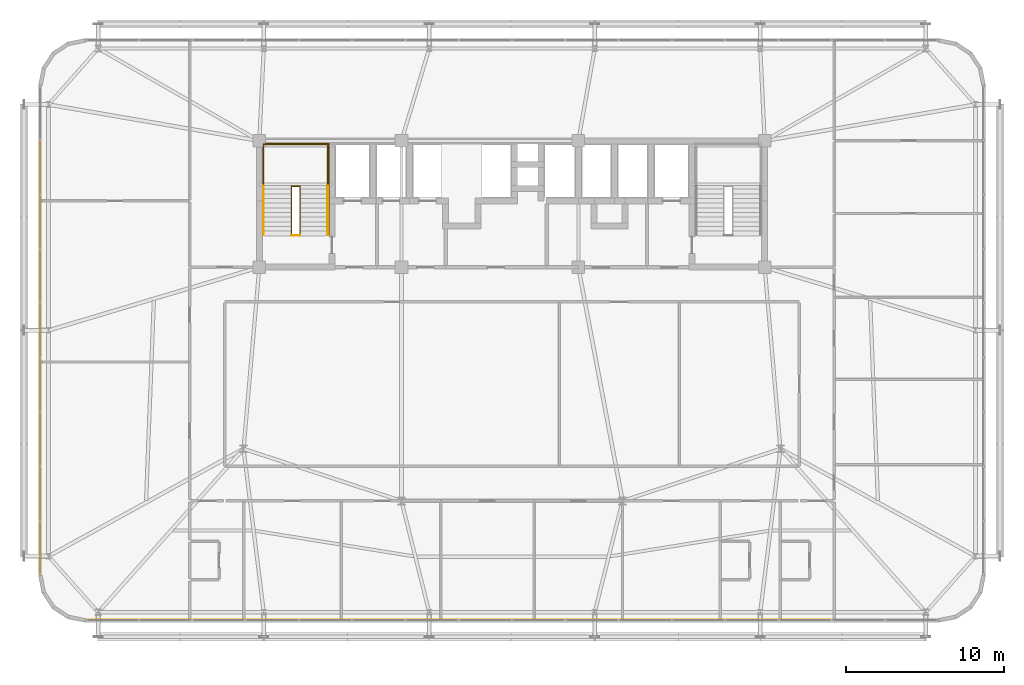
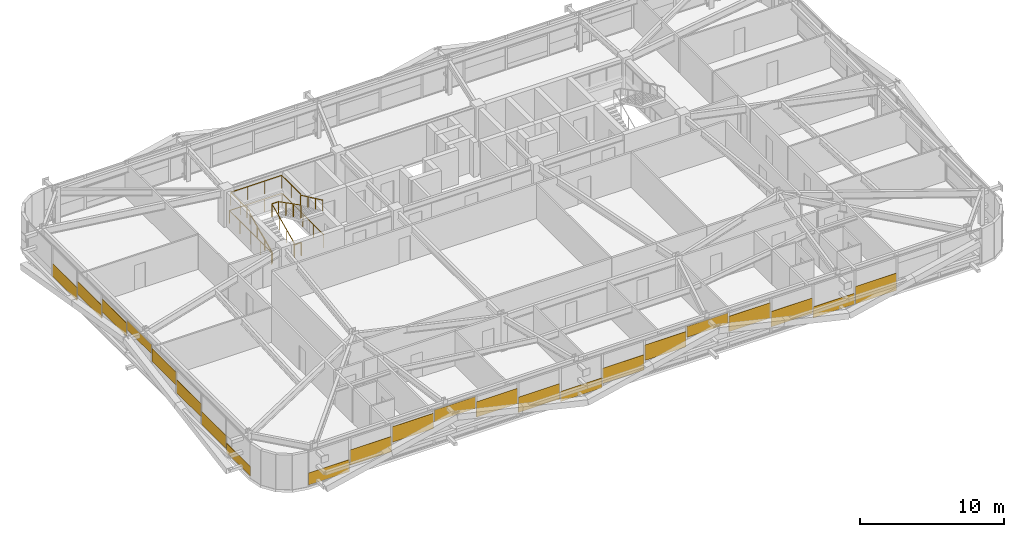
# One storey, part 56 of 58: 22 coverings, 6 railings.
"""IFC4 building model written with IfcOpenShell, lengths in metres."""

from ifc_helpers import new_model, si_unit, direction, frame, origin, origin_2d, place, context, subcontext, project, spatial, rectangle, extrude, source, transform, mapped, material, layer, layer_set, type_object, element, save


model = new_model("IFC4")

# Units and contexts
model_context = context("Model", 3, precision=1e-05, world=origin(), true_north=direction((0.0, 1.0)))
body_context = subcontext(model_context, "Body", "Model", "MODEL_VIEW")
ifc_project = project(units=[si_unit("LENGTHUNIT", "METRE"), si_unit("AREAUNIT", "SQUARE_METRE"), si_unit("VOLUMEUNIT", "CUBIC_METRE"), si_unit("PLANEANGLEUNIT", "RADIAN"), si_unit("MASSUNIT", "GRAM", prefix="KILO")], contexts=[model_context])

# Site, building, storey
site_placement = place(None, origin())
site = spatial("IfcSite", under=ifc_project, at=site_placement, CompositionType="ELEMENT")
building_placement = place(site_placement, origin())
building = spatial("IfcBuilding", under=site, at=building_placement, Name="Taldren Reach Tower", CompositionType="ELEMENT")
storey_placement = place(building_placement, frame((0.0, 0.0, 54.60009765625)))
storey = spatial("IfcBuildingStorey", under=building, at=storey_placement, Name="L16", CompositionType="ELEMENT", Elevation=54.60009765625)

# Railings
ifc_material_1 = material(Name="Steel Gr 350 (C350L0)", Category="steel")
ifc_layer_1 = layer(ifc_material_1, 0.050048828125)
ifc_layer_set_1 = layer_set([ifc_layer_1], Name="Steel Gr 350 (C350L0)")
railing_type_1 = type_object("IfcRailingType", Name="RL-STAIR-GR", PredefinedType="GUARDRAIL", material=ifc_layer_set_1)
railing_1_placement = place(storey_placement, frame((19.260009765625, 29.135009765625, 1.574951171875)))
element("IfcRailing", 1, at=railing_1_placement, inside=storey, type_object=railing_type_1, Name="Stair half-landing perimeter guard ST1-L16", PredefinedType="GUARDRAIL", context=body_context, shape_type="SweptSolid", body=[
    extrude(rectangle(XDim=0.047852, YDim=0.047852, at=origin_2d()), frame((0.0, 0.0, 1.09619140625), z_axis=(0.0, 1.0, 0.0), x_axis=(-1.0, 0.0, 0.0)), (0.0, 0.0, 1.0), 2.64501953125),
    extrude(rectangle(XDim=0.047852, YDim=0.047852, at=origin_2d()), frame((0.0, 2.64501953125, 1.09619140625), z_axis=(1.0, 0.0, 0.0), x_axis=(0.0, 1.0, 0.0)), (0.0, 0.0, 1.0), 4.080078125),
    extrude(rectangle(XDim=0.047852, YDim=0.047852, at=origin_2d()), frame((4.080078125, 2.64501953125, 1.09619140625), z_axis=(0.0, -1.0, 0.0), x_axis=(1.0, 0.0, 0.0)), (0.0, 0.0, 1.0), 2.64501953125),
    extrude(rectangle(XDim=0.041992, YDim=0.041992, at=origin_2d()), origin(), (0.0, 0.0, 1.0), 1.072021484375),
    extrude(rectangle(XDim=0.041992, YDim=0.041992, at=origin_2d()), frame((0.0, 1.322509765625, 0.0)), (0.0, 0.0, 1.0), 1.072021484375),
    extrude(rectangle(XDim=0.041992, YDim=0.041992, at=origin_2d()), frame((0.0, 2.64501953125, 0.0)), (0.0, 0.0, 1.0), 1.072021484375),
    extrude(rectangle(XDim=0.041992, YDim=0.041992, at=origin_2d()), frame((1.360107421875, 2.64501953125, 0.0)), (0.0, 0.0, 1.0), 1.072021484375),
    extrude(rectangle(XDim=0.041992, YDim=0.041992, at=origin_2d()), frame((2.719970703125, 2.64501953125, 0.0)), (0.0, 0.0, 1.0), 1.072021484375),
    extrude(rectangle(XDim=0.041992, YDim=0.041992, at=origin_2d()), frame((4.080078125, 2.64501953125, 0.0)), (0.0, 0.0, 1.0), 1.072021484375),
    extrude(rectangle(XDim=0.041992, YDim=0.041992, at=origin_2d()), frame((4.080078125, 1.322509765625, 0.0)), (0.0, 0.0, 1.0), 1.072021484375),
    extrude(rectangle(XDim=0.041992, YDim=0.041992, at=origin_2d()), frame((4.080078125, 0.0, 0.0)), (0.0, 0.0, 1.0), 1.072021484375),
])
railing_2_placement = place(storey_placement, frame((21.030029296875, 26.050048828125, 0.131103515625)))
element("IfcRailing", 2, at=railing_2_placement, inside=storey, type_object=railing_type_1, Name="Stairwell inner guard ST1-L16", PredefinedType="GUARDRAIL", context=body_context, shape_type="SweptSolid", body=[
    extrude(rectangle(XDim=0.047852, YDim=0.047852, at=origin_2d()), frame((0.0, 0.0, 1.09619140625), z_axis=(0.0, 0.905710134349, 0.423897573167), x_axis=(-1.0, 0.0, 0.0)), (0.0, 0.0, 1.0), 3.406005859375),
    extrude(rectangle(XDim=0.047852, YDim=0.047852, at=origin_2d()), frame((0.0, 3.0849609375, 2.5400390625), z_axis=(1.0, 0.0, 0.0), x_axis=(0.0, 1.0, 0.0)), (0.0, 0.0, 1.0), 0.5400390625),
    extrude(rectangle(XDim=0.047852, YDim=0.047852, at=origin_2d()), frame((0.5400390625, 3.0849609375, 2.5400390625), z_axis=(0.0, -0.890645957773, 0.45469745755), x_axis=(1.0, 0.0, 0.0)), (0.0, 0.0, 1.0), 3.463623046875),
    extrude(rectangle(XDim=0.041992, YDim=0.041992, at=origin_2d()), origin(), (0.0, 0.0, 1.0), 1.072021484375),
    extrude(rectangle(XDim=0.041992, YDim=0.041992, at=origin_2d()), frame((0.0, 1.0283203125, 0.481201171875)), (0.0, 0.0, 1.0), 1.072021484375),
    extrude(rectangle(XDim=0.041992, YDim=0.041992, at=origin_2d()), frame((0.0, 2.056640625, 0.962646484375)), (0.0, 0.0, 1.0), 1.072021484375),
    extrude(rectangle(XDim=0.041992, YDim=0.041992, at=origin_2d()), frame((0.0, 3.0849609375, 1.44384765625)), (0.0, 0.0, 1.0), 1.072021484375),
    extrude(rectangle(XDim=0.041992, YDim=0.041992, at=origin_2d()), frame((0.5400390625, 3.0849609375, 1.44384765625)), (0.0, 0.0, 1.0), 1.072021484375),
    extrude(rectangle(XDim=0.041992, YDim=0.041992, at=origin_2d()), frame((0.5400390625, 2.056640625, 1.96875)), (0.0, 0.0, 1.0), 1.072021484375),
    extrude(rectangle(XDim=0.041992, YDim=0.041992, at=origin_2d()), frame((0.5400390625, 1.0283203125, 2.493896484375)), (0.0, 0.0, 1.0), 1.072021484375),
    extrude(rectangle(XDim=0.041992, YDim=0.041992, at=origin_2d()), frame((0.5400390625, 0.0, 3.018798828125)), (0.0, 0.0, 1.0), 1.072021484375),
])
railing_3_placement = place(storey_placement, frame((21.030029296875, 26.010009765625, 0.0)))
element("IfcRailing", 3, at=railing_3_placement, inside=storey, type_object=railing_type_1, Name="Stairwell landing slot guard ST1-L16", PredefinedType="GUARDRAIL", context=body_context, shape_type="SweptSolid", body=[
    extrude(rectangle(XDim=0.047852, YDim=0.047852, at=origin_2d()), frame((0.0, 0.0, 1.09619140625), z_axis=(1.0, 0.0, 0.0), x_axis=(0.0, 1.0, 0.0)), (0.0, 0.0, 1.0), 0.5400390625),
    extrude(rectangle(XDim=0.041992, YDim=0.041992, at=origin_2d()), origin(), (0.0, 0.0, 1.0), 1.072021484375),
    extrude(rectangle(XDim=0.041992, YDim=0.041992, at=origin_2d()), frame((0.5400390625, 0.0, 0.0)), (0.0, 0.0, 1.0), 1.072021484375),
])
railing_4_placement = place(storey_placement, frame((19.18994140625, 26.050048828125, 0.0)))
element("IfcRailing", 4, at=railing_4_placement, inside=storey, type_object=railing_type_1, Name="Stairwell floor opening guard ST1-L16", PredefinedType="GUARDRAIL", context=body_context, shape_type="SweptSolid", body=[
    extrude(rectangle(XDim=0.047852, YDim=0.047852, at=origin_2d()), frame((0.0, 0.0, 1.09619140625), z_axis=(0.0, 1.0, 0.0), x_axis=(-1.0, 0.0, 0.0)), (0.0, 0.0, 1.0), 5.800048828125),
    extrude(rectangle(XDim=0.047852, YDim=0.047852, at=origin_2d()), frame((0.0, 5.800048828125, 1.09619140625), z_axis=(1.0, 0.0, 0.0), x_axis=(0.0, 1.0, 0.0)), (0.0, 0.0, 1.0), 4.219970703125),
    extrude(rectangle(XDim=0.047852, YDim=0.047852, at=origin_2d()), frame((4.219970703125, 5.800048828125, 1.09619140625), z_axis=(0.0, -1.0, 0.0), x_axis=(1.0, 0.0, 0.0)), (0.0, 0.0, 1.0), 5.800048828125),
    extrude(rectangle(XDim=0.041992, YDim=0.041992, at=origin_2d()), origin(), (0.0, 0.0, 1.0), 1.072021484375),
    extrude(rectangle(XDim=0.041992, YDim=0.041992, at=origin_2d()), frame((0.0, 1.449951171875, 0.0)), (0.0, 0.0, 1.0), 1.072021484375),
    extrude(rectangle(XDim=0.041992, YDim=0.041992, at=origin_2d()), frame((0.0, 2.89990234375, 0.0)), (0.0, 0.0, 1.0), 1.072021484375),
    extrude(rectangle(XDim=0.041992, YDim=0.041992, at=origin_2d()), frame((0.0, 4.35009765625, 0.0)), (0.0, 0.0, 1.0), 1.072021484375),
    extrude(rectangle(XDim=0.041992, YDim=0.041992, at=origin_2d()), frame((0.0, 5.800048828125, 0.0)), (0.0, 0.0, 1.0), 1.072021484375),
    extrude(rectangle(XDim=0.041992, YDim=0.041992, at=origin_2d()), frame((1.40673828125, 5.800048828125, 0.0)), (0.0, 0.0, 1.0), 1.072021484375),
    extrude(rectangle(XDim=0.041992, YDim=0.041992, at=origin_2d()), frame((2.813232421875, 5.800048828125, 0.0)), (0.0, 0.0, 1.0), 1.072021484375),
    extrude(rectangle(XDim=0.041992, YDim=0.041992, at=origin_2d()), frame((4.219970703125, 5.800048828125, 0.0)), (0.0, 0.0, 1.0), 1.072021484375),
    extrude(rectangle(XDim=0.041992, YDim=0.041992, at=origin_2d()), frame((4.219970703125, 4.35009765625, 0.0)), (0.0, 0.0, 1.0), 1.072021484375),
    extrude(rectangle(XDim=0.041992, YDim=0.041992, at=origin_2d()), frame((4.219970703125, 2.89990234375, 0.0)), (0.0, 0.0, 1.0), 1.072021484375),
    extrude(rectangle(XDim=0.041992, YDim=0.041992, at=origin_2d()), frame((4.219970703125, 1.449951171875, 0.0)), (0.0, 0.0, 1.0), 1.072021484375),
    extrude(rectangle(XDim=0.041992, YDim=0.041992, at=origin_2d()), frame((4.219970703125, 0.0, 0.0)), (0.0, 0.0, 1.0), 1.072021484375),
])
ifc_material_2 = material(Name="Stainless Steel Gr 316", Category="steel")
ifc_layer_2 = layer(ifc_material_2, 0.048095703125)
ifc_layer_set_2 = layer_set([ifc_layer_2], Name="Stainless Steel Gr 316")
railing_type_2 = type_object("IfcRailingType", Name="RL-STAIR-HR", PredefinedType="HANDRAIL", material=ifc_layer_set_2)
railing_5_placement = place(storey_placement, frame((19.27001953125, 26.050048828125, 0.131103515625)))
element("IfcRailing", 5, at=railing_5_placement, inside=storey, type_object=railing_type_2, Name="Stair flight handrail ST1-L16-1", PredefinedType="HANDRAIL", context=body_context, shape_type="SweptSolid", body=[
    extrude(rectangle(XDim=0.047852, YDim=0.047852, at=origin_2d()), frame((0.0, 0.0, 0.89599609375), z_axis=(0.0, 0.905710134349, 0.423897573167), x_axis=(-1.0, 0.0, 0.0)), (0.0, 0.0, 1.0), 3.406005859375),
    extrude(rectangle(XDim=0.041992, YDim=0.041992, at=origin_2d()), origin(), (0.0, 0.0, 1.0), 0.871826171875),
    extrude(rectangle(XDim=0.041992, YDim=0.041992, at=origin_2d()), frame((0.0, 1.0283203125, 0.481201171875)), (0.0, 0.0, 1.0), 0.871826171875),
    extrude(rectangle(XDim=0.041992, YDim=0.041992, at=origin_2d()), frame((0.0, 2.056640625, 0.962646484375)), (0.0, 0.0, 1.0), 0.871826171875),
    extrude(rectangle(XDim=0.041992, YDim=0.041992, at=origin_2d()), frame((0.0, 3.0849609375, 1.44384765625)), (0.0, 0.0, 1.0), 0.871826171875),
])
railing_6_placement = place(storey_placement, frame((23.330078125, 29.135009765625, 1.7060546875)))
element("IfcRailing", 6, at=railing_6_placement, inside=storey, type_object=railing_type_2, Name="Stair flight handrail ST1-L16-2", PredefinedType="HANDRAIL", context=body_context, shape_type="SweptSolid", body=[
    extrude(rectangle(XDim=0.047852, YDim=0.047852, at=origin_2d()), frame((0.0, 0.0, 0.89599609375), z_axis=(0.0, -0.905710134349, 0.423897573167), x_axis=(1.0, 0.0, 0.0)), (0.0, 0.0, 1.0), 3.406005859375),
    extrude(rectangle(XDim=0.041992, YDim=0.041992, at=origin_2d()), origin(), (0.0, 0.0, 1.0), 0.871826171875),
    extrude(rectangle(XDim=0.041992, YDim=0.041992, at=origin_2d()), frame((0.0, -1.0283203125, 0.481201171875)), (0.0, 0.0, 1.0), 0.871826171875),
    extrude(rectangle(XDim=0.041992, YDim=0.041992, at=origin_2d()), frame((0.0, -2.056640625, 0.962646484375)), (0.0, 0.0, 1.0), 0.871826171875),
    extrude(rectangle(XDim=0.041992, YDim=0.041992, at=origin_2d()), frame((0.0, -3.0849609375, 1.44384765625)), (0.0, 0.0, 1.0), 0.871826171875),
])

# Coverings
ifc_material_3 = material(Name="Pale Champagne Fluoropolymer Aluminium Spandrel Cladding", Category="aluminium")
ifc_layer_3 = layer(ifc_material_3, 0.0439453125)
ifc_layer_set_3 = layer_set([ifc_layer_3], Name="Pale Champagne Fluoropolymer Aluminium Spandrel Cladding")
covering_type = type_object("IfcCoveringType", Name="CV-CLAD-044", PredefinedType="CLADDING", material=ifc_layer_set_3)
shared_shape_1 = source(origin(), body_context, "Body", "SweptSolid", [
    extrude(rectangle(XDim=3.31005859375, YDim=0.0439453125, at=origin_2d()), origin(), (0.0, 0.0, 1.0), 1.301025390625),
])
for number, where, z_axis, x_axis, name in (
    (7, (13.0625, 1.639892578125, 0.5576171875), (0.0, 0.0, 1.0), (1.0, 0.0, 0.0), "Diagrid closure cladding strip CW-2 panel 2.1 1"),
    (8, (16.4375, 1.639892578125, 1.34033203125), (0.0, 0.0, 1.0), (1.0, 0.0, 0.0), "Diagrid closure cladding strip CW-2 panel 3.1 1"),
    (9, (23.1875, 1.639892578125, 1.09326171875), (0.0, 0.0, 1.0), (1.0, 0.0, 0.0), "Diagrid closure cladding strip CW-2 panel 5.1 1"),
    (10, (26.5625, 1.639892578125, 0.31103515625), (0.0, 0.0, 1.0), (1.0, 0.0, 0.0), "Diagrid closure cladding strip CW-2 panel 6.1 1"),
    (11, (33.3125, 1.639892578125, 0.39306640625), (0.0, 0.0, 1.0), (1.0, 0.0, 0.0), "Diagrid closure cladding strip CW-2 panel 8.1 1"),
    (12, (36.6875, 1.639892578125, 1.17578125), (0.0, 0.0, 1.0), (1.0, 0.0, 0.0), "Diagrid closure cladding strip CW-2 panel 9.1 1"),
    (13, (43.4375, 1.639892578125, 1.2578125), (0.0, 0.0, 1.0), (1.0, 0.0, 0.0), "Diagrid closure cladding strip CW-2 panel 11.1 1"),
    (14, (46.8125, 1.639892578125, 0.4755859375), (0.0, 0.0, 1.0), (1.0, 0.0, 0.0), "Diagrid closure cladding strip CW-2 panel 12.1 1"),
):
    element("IfcCovering", number, at=place(storey_placement, frame(where, z_axis=z_axis, x_axis=x_axis)), inside=storey, type_object=covering_type, Name=name, PredefinedType="CLADDING", context=body_context, shape_type="MappedRepresentation", body=[
        mapped(shared_shape_1, transform((0.0, 0.0, 0.0), scale=1.0)),
    ])
shared_shape_2 = source(origin(), body_context, "Body", "SweptSolid", [
    extrude(rectangle(XDim=3.31005859375, YDim=0.0439453125, at=origin_2d()), origin(), (0.0, 0.0, 1.0), 1.474609375),
])
covering_1_placement = place(storey_placement, frame((53.5625, 1.639892578125, 0.054931640625), z_axis=(0.0, 0.0, 1.0), x_axis=(1.0, 0.0, 0.0)))
element("IfcCovering", 15, at=covering_1_placement, inside=storey, type_object=covering_type, Name="Diagrid closure cladding strip CW-2 panel 14.1 1", PredefinedType="CLADDING", context=body_context, shape_type="MappedRepresentation", body=[
    mapped(shared_shape_2, transform((0.0, 0.0, 0.0), scale=1.0)),
])
shared_shape_3 = source(origin(), body_context, "Body", "SweptSolid", [
    extrude(rectangle(XDim=3.31005859375, YDim=0.0439453125, at=origin_2d()), origin(), (0.0, 0.0, 1.0), 0.93896484375),
])
covering_2_placement = place(storey_placement, frame((50.1875, 1.639892578125, 0.054931640625), z_axis=(0.0, 0.0, 1.0), x_axis=(1.0, 0.0, 0.0)))
element("IfcCovering", 16, at=covering_2_placement, inside=storey, type_object=covering_type, Name="Diagrid closure cladding strip CW-2 panel 13.1 1", PredefinedType="CLADDING", context=body_context, shape_type="MappedRepresentation", body=[
    mapped(shared_shape_3, transform((0.0, 0.0, 0.0), scale=1.0)),
])
shared_shape_4 = source(origin(), body_context, "Body", "SweptSolid", [
    extrude(rectangle(XDim=3.31005859375, YDim=0.0439453125, at=origin_2d()), origin(), (0.0, 0.0, 1.0), 0.916748046875),
])
covering_3_placement = place(storey_placement, frame((40.0625, 1.639892578125, 1.9580078125), z_axis=(0.0, 0.0, 1.0), x_axis=(1.0, 0.0, 0.0)))
element("IfcCovering", 17, at=covering_3_placement, inside=storey, type_object=covering_type, Name="Diagrid closure cladding strip CW-2 panel 10.1 1", PredefinedType="CLADDING", context=body_context, shape_type="MappedRepresentation", body=[
    mapped(shared_shape_4, transform((0.0, 0.0, 0.0), scale=1.0)),
])
shared_shape_5 = source(origin(), body_context, "Body", "SweptSolid", [
    extrude(rectangle(XDim=3.31005859375, YDim=0.0439453125, at=origin_2d()), origin(), (0.0, 0.0, 1.0), 0.856689453125),
])
covering_4_placement = place(storey_placement, frame((29.9375, 1.639892578125, 0.0546875), z_axis=(0.0, 0.0, 1.0), x_axis=(1.0, 0.0, 0.0)))
element("IfcCovering", 18, at=covering_4_placement, inside=storey, type_object=covering_type, Name="Diagrid closure cladding strip CW-2 panel 7.1 1", PredefinedType="CLADDING", context=body_context, shape_type="MappedRepresentation", body=[
    mapped(shared_shape_5, transform((0.0, 0.0, 0.0), scale=1.0)),
])
shared_shape_6 = source(origin(), body_context, "Body", "SweptSolid", [
    extrude(rectangle(XDim=3.31005859375, YDim=0.0439453125, at=origin_2d()), origin(), (0.0, 0.0, 1.0), 0.9990234375),
])
covering_5_placement = place(storey_placement, frame((19.8125, 1.639892578125, 1.8759765625), z_axis=(0.0, 0.0, 1.0), x_axis=(1.0, 0.0, 0.0)))
element("IfcCovering", 19, at=covering_5_placement, inside=storey, type_object=covering_type, Name="Diagrid closure cladding strip CW-2 panel 4.1 1", PredefinedType="CLADDING", context=body_context, shape_type="MappedRepresentation", body=[
    mapped(shared_shape_6, transform((0.0, 0.0, 0.0), scale=1.0)),
])
shared_shape_7 = source(origin(), body_context, "Body", "SweptSolid", [
    extrude(rectangle(XDim=3.277587890625, YDim=0.0439453125, at=origin_2d()), origin(), (0.0, 0.0, 1.0), 1.021240234375),
])
covering_6_placement = place(storey_placement, frame((9.703857421875, 1.639892578125, 0.0546875), z_axis=(0.0, 0.0, 1.0), x_axis=(1.0, 0.0, 0.0)))
element("IfcCovering", 20, at=covering_6_placement, inside=storey, type_object=covering_type, Name="Diagrid closure cladding strip CW-2 panel 1.1 1", PredefinedType="CLADDING", context=body_context, shape_type="MappedRepresentation", body=[
    mapped(shared_shape_7, transform((0.0, 0.0, 0.0), scale=1.0)),
])
shared_shape_8 = source(origin(), body_context, "Body", "SweptSolid", [
    extrude(rectangle(XDim=3.37939453125, YDim=0.0439453125, at=origin_2d()), origin(), (0.0, 0.0, 1.0), 1.1015625),
])
for number, where, z_axis, x_axis, name in (
    (21, (5.139892578125, 30.333251953125, 0.34326171875), (0.0, 0.0, 1.0), (0.0, -1.0, 0.0), "Diagrid closure cladding strip CW-2 panel 2.1 1"),
    (22, (5.139892578125, 26.888916015625, 0.928466796875), (0.0, 0.0, 1.0), (0.0, -1.0, 0.0), "Diagrid closure cladding strip CW-2 panel 3.1 1"),
    (23, (5.139892578125, 23.4443359375, 1.513916015625), (0.0, 0.0, 1.0), (0.0, -1.0, 0.0), "Diagrid closure cladding strip CW-2 panel 4.1 1"),
    (24, (5.139892578125, 16.5556640625, 1.513916015625), (0.0, 0.0, 1.0), (0.0, -1.0, 0.0), "Diagrid closure cladding strip CW-2 panel 6.1 1"),
    (25, (5.139892578125, 13.111083984375, 0.928466796875), (0.0, 0.0, 1.0), (0.0, -1.0, 0.0), "Diagrid closure cladding strip CW-2 panel 7.1 1"),
    (26, (5.139892578125, 9.666748046875, 0.34326171875), (0.0, 0.0, 1.0), (0.0, -1.0, 0.0), "Diagrid closure cladding strip CW-2 panel 8.1 1"),
):
    element("IfcCovering", number, at=place(storey_placement, frame(where, z_axis=z_axis, x_axis=x_axis)), inside=storey, type_object=covering_type, Name=name, PredefinedType="CLADDING", context=body_context, shape_type="MappedRepresentation", body=[
        mapped(shared_shape_8, transform((0.0, 0.0, 0.0), scale=1.0)),
    ])
shared_shape_9 = source(origin(), body_context, "Body", "SweptSolid", [
    extrude(rectangle(XDim=3.346923828125, YDim=0.0439453125, at=origin_2d()), origin(), (0.0, 0.0, 1.0), 0.804443359375),
])
covering_7_placement = place(storey_placement, frame((5.139892578125, 6.238525390625, 0.05517578125), z_axis=(0.0, 0.0, 1.0), x_axis=(0.0, -1.0, 0.0)))
element("IfcCovering", 27, at=covering_7_placement, inside=storey, type_object=covering_type, Name="Diagrid closure cladding strip CW-2 panel 9.1 1", PredefinedType="CLADDING", context=body_context, shape_type="MappedRepresentation", body=[
    mapped(shared_shape_9, transform((0.0, 0.0, 0.0), scale=1.0)),
])
shared_shape_10 = source(origin(), body_context, "Body", "SweptSolid", [
    extrude(rectangle(XDim=3.37939453125, YDim=0.0439453125, at=origin_2d()), origin(), (0.0, 0.0, 1.0), 0.77587890625),
])
covering_8_placement = place(storey_placement, frame((5.139892578125, 20.0, 2.09912109375), z_axis=(0.0, 0.0, 1.0), x_axis=(0.0, -1.0, 0.0)))
element("IfcCovering", 28, at=covering_8_placement, inside=storey, type_object=covering_type, Name="Diagrid closure cladding strip CW-2 panel 5.1 1", PredefinedType="CLADDING", context=body_context, shape_type="MappedRepresentation", body=[
    mapped(shared_shape_10, transform((0.0, 0.0, 0.0), scale=1.0)),
])

save(model, "model.ifc")
